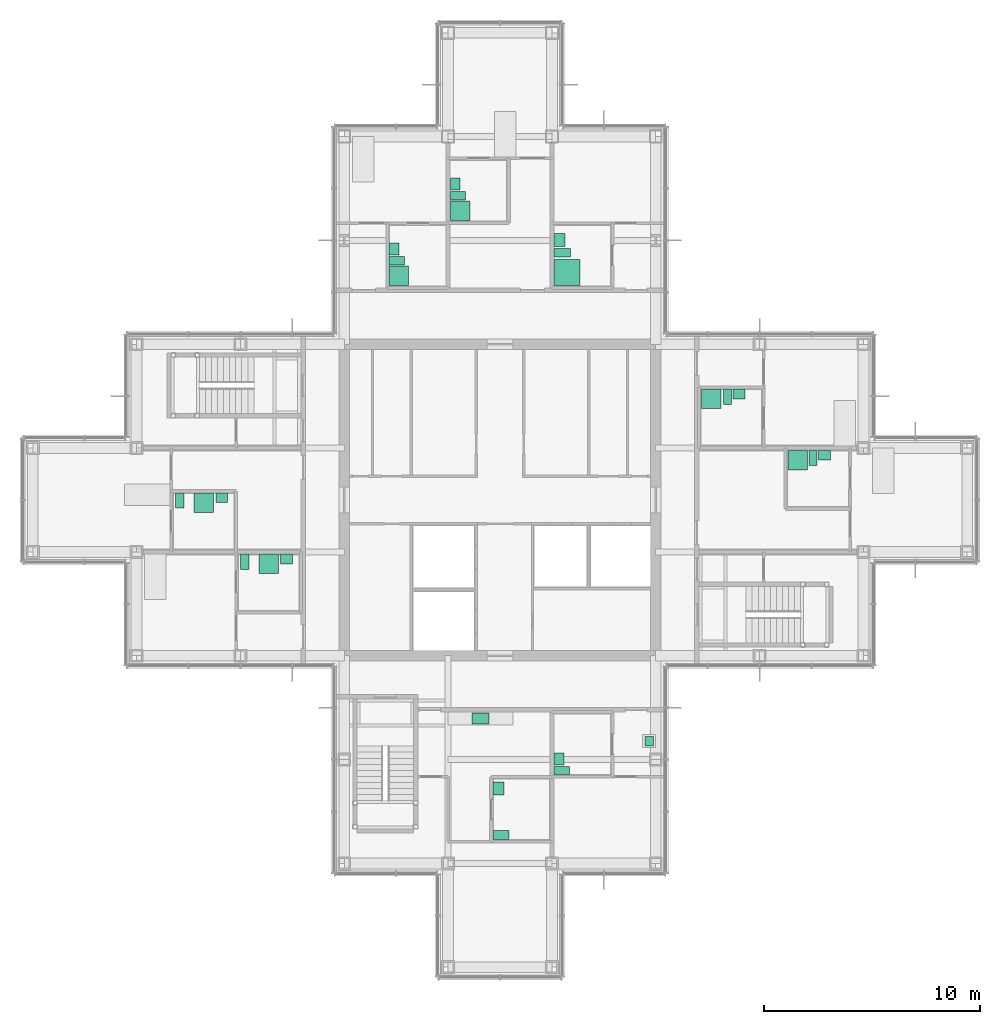
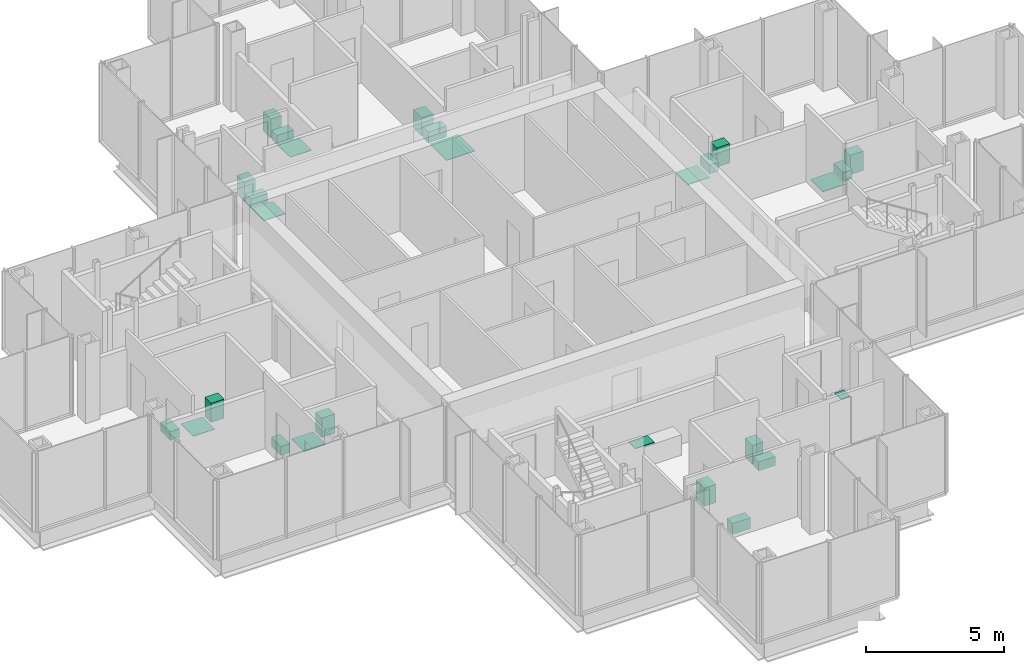
# One storey, part 16 of 17: 27 sanitary terminals.
"""IFC4 building model written with IfcOpenShell, lengths in metres."""

from ifc_helpers import new_model, si_unit, direction, frame, origin, origin_2d, place, context, subcontext, project, spatial, rectangle, extrude, material, type_object, element, save


model = new_model("IFC4")

# Units and contexts
model_context = context("Model", 3, precision=1e-05, world=origin(), true_north=direction((0.0, 1.0)))
body_context = subcontext(model_context, "Body", "Model", "MODEL_VIEW")
ifc_project = project(units=[si_unit("LENGTHUNIT", "METRE"), si_unit("AREAUNIT", "SQUARE_METRE"), si_unit("VOLUMEUNIT", "CUBIC_METRE"), si_unit("PLANEANGLEUNIT", "RADIAN"), si_unit("MASSUNIT", "GRAM", prefix="KILO")], contexts=[model_context])

# Site, building, storey
site_placement = place(None, origin())
site = spatial("IfcSite", under=ifc_project, at=site_placement, CompositionType="ELEMENT")
building_placement = place(site_placement, origin())
building = spatial("IfcBuilding", under=site, at=building_placement, Name="Kvirike Care Tower", CompositionType="ELEMENT")
storey_placement = place(building_placement, frame((0.0, 0.0, 148.0)))
storey = spatial("IfcBuildingStorey", under=building, at=storey_placement, Name="L40", CompositionType="ELEMENT", Elevation=148.0)

# Sanitary terminals
ifc_material_1 = material(Name="Vitreous china", Category="ceramic")
sanitary_terminal_type_1 = type_object("IfcSanitaryTerminalType", Name="ACCESSIBLE WASH BASIN 600 x 500", PredefinedType="WASHHANDBASIN", material=ifc_material_1)
for number, where, z_axis, x_axis, name in (
    (1, (21.527099609375, 22.659912109375, 0.02001953125), (0.0, 0.0, 1.0), (0.0, 1.0, 0.0), "Accessible wash basin L40-014"),
    (2, (24.35205078125, 48.02490234375, 0.02001953125), (0.0, 0.0, 1.0), (0.0, 1.0, 0.0), "Accessible wash basin L40-021"),
):
    element("IfcSanitaryTerminal", number, at=place(storey_placement, frame(where, z_axis=z_axis, x_axis=x_axis)), inside=storey, type_object=sanitary_terminal_type_1, Name=name, PredefinedType="WASHHANDBASIN", context=body_context, shape_type="SweptSolid", body=[
        extrude(rectangle(XDim=0.60009765625, YDim=0.5, at=origin_2d()), origin(), (0.0, 0.0, 1.0), 0.800048828125),
    ])
ifc_material_2 = material(Name="Vitreous china", Category="ceramic")
sanitary_terminal_type_2 = type_object("IfcSanitaryTerminalType", Name="ACCESSIBLE WC PAN 400 x 750", PredefinedType="TOILETPAN", material=ifc_material_2)
for number, where, z_axis, x_axis, name in (
    (3, (21.652099609375, 20.510009765625, 0.02001953125), (0.0, 0.0, 1.0), (0.0, 1.0, 0.0), "Accessible WC pan L40-014"),
    (4, (24.47705078125, 47.425048828125, 0.02001953125), (0.0, 0.0, 1.0), (0.0, 1.0, 0.0), "Accessible WC pan L40-021"),
):
    element("IfcSanitaryTerminal", number, at=place(storey_placement, frame(where, z_axis=z_axis, x_axis=x_axis)), inside=storey, type_object=sanitary_terminal_type_2, Name=name, PredefinedType="TOILETPAN", context=body_context, shape_type="SweptSolid", body=[
        extrude(rectangle(XDim=0.39990234375, YDim=0.75, at=origin_2d()), origin(), (0.0, 0.0, 1.0), 0.47998046875),
    ])
ifc_material_3 = material(Name="Stainless steel", Category="steel")
sanitary_terminal_type_3 = type_object("IfcSanitaryTerminalType", Name="KITCHEN SINK 450 x 400", PredefinedType="SINK", material=ifc_material_3)
sanitary_terminal_1_placement = place(storey_placement, frame((28.498046875, 24.85009765625, 0.89990234375), z_axis=(0.0, 0.0, 1.0), x_axis=(0.0, -1.0, 0.0)))
element("IfcSanitaryTerminal", 5, at=sanitary_terminal_1_placement, inside=storey, type_object=sanitary_terminal_type_3, Name="Kitchen sink L40-018", PredefinedType="SINK", context=body_context, shape_type="SweptSolid", body=[
    extrude(rectangle(XDim=0.449951171875, YDim=0.39990234375, at=origin_2d()), origin(), (0.0, 0.0, 1.0), 0.030029296875),
])
ifc_material_4 = material(Name="Stainless steel", Category="steel")
sanitary_terminal_type_4 = type_object("IfcSanitaryTerminalType", Name="KITCHEN SINK 800 x 500", PredefinedType="SINK", material=ifc_material_4)
sanitary_terminal_2_placement = place(storey_placement, frame((20.699951171875, 25.89794921875, 0.89990234375), z_axis=(0.0, 0.0, 1.0), x_axis=(1.0, 0.0, 0.0)))
element("IfcSanitaryTerminal", 6, at=sanitary_terminal_2_placement, inside=storey, type_object=sanitary_terminal_type_4, Name="Kitchen sink L40-015", PredefinedType="SINK", context=body_context, shape_type="SweptSolid", body=[
    extrude(rectangle(XDim=0.800048828125, YDim=0.5, at=origin_2d()), origin(), (0.0, 0.0, 1.0), 0.030029296875),
])
ifc_material_5 = material(Name="Stainless steel", Category="steel")
sanitary_terminal_type_5 = type_object("IfcSanitaryTerminalType", Name="LEVEL-ACCESS SHOWER 1200 x 1200", PredefinedType="SHOWER", material=ifc_material_5)
sanitary_terminal_3_placement = place(storey_placement, frame((24.701904296875, 46.52490234375, 0.02001953125), z_axis=(0.0, 0.0, 1.0), x_axis=(0.0, 1.0, 0.0)))
element("IfcSanitaryTerminal", 7, at=sanitary_terminal_3_placement, inside=storey, type_object=sanitary_terminal_type_5, Name="Level-access shower L40-021", PredefinedType="SHOWER", context=body_context, shape_type="SweptSolid", body=[
    extrude(rectangle(XDim=1.199951171875, YDim=1.199951171875, at=origin_2d()), origin(), (0.0, 0.0, 1.0), 0.02001953125),
])
ifc_material_6 = material(Name="Stainless steel", Category="steel")
sanitary_terminal_type_6 = type_object("IfcSanitaryTerminalType", Name="LEVEL-ACCESS SHOWER 900 x 900", PredefinedType="SHOWER", material=ifc_material_6)
for number, where, z_axis, x_axis, name in (
    (8, (7.909912109375, 35.873046875, 0.02001953125), (0.0, 0.0, 1.0), (1.0, 0.0, 0.0), "Level-access shower L40-006"),
    (9, (10.909912109375, 33.048095703125, 0.02001953125), (0.0, 0.0, 1.0), (1.0, 0.0, 0.0), "Level-access shower L40-009"),
    (10, (19.751953125, 49.375, 0.02001953125), (0.0, 0.0, 1.0), (0.0, 1.0, 0.0), "Level-access shower L40-024"),
    (11, (16.927001953125, 46.375, 0.02001953125), (0.0, 0.0, 1.0), (0.0, 1.0, 0.0), "Level-access shower L40-027"),
    (12, (35.375, 37.847900390625, 0.02001953125), (0.0, 0.0, 1.0), (1.0, 0.0, 0.0), "Level-access shower L40-034"),
    (13, (31.375, 40.673095703125, 0.02001953125), (0.0, 0.0, 1.0), (1.0, 0.0, 0.0), "Level-access shower L40-037"),
):
    element("IfcSanitaryTerminal", number, at=place(storey_placement, frame(where, z_axis=z_axis, x_axis=x_axis)), inside=storey, type_object=sanitary_terminal_type_6, Name=name, PredefinedType="SHOWER", context=body_context, shape_type="SweptSolid", body=[
        extrude(rectangle(XDim=0.89990234375, YDim=0.89990234375, at=origin_2d()), origin(), (0.0, 0.0, 1.0), 0.02001953125),
    ])
ifc_material_7 = material(Name="Vitreous china", Category="ceramic")
sanitary_terminal_type_7 = type_object("IfcSanitaryTerminalType", Name="WASH BASIN 550 x 450", PredefinedType="WASHHANDBASIN", material=ifc_material_7)
for number, where, z_axis, x_axis, name in (
    (14, (8.735107421875, 36.097900390625, 0.02001953125), (0.0, 0.0, 1.0), (1.0, 0.0, 0.0), "Wash basin L40-006"),
    (15, (11.735107421875, 33.27294921875, 0.02001953125), (0.0, 0.0, 1.0), (1.0, 0.0, 0.0), "Wash basin L40-009"),
    (16, (24.326904296875, 24.034912109375, 0.02001953125), (0.0, 0.0, 1.0), (0.0, 1.0, 0.0), "Wash basin L40-017"),
    (17, (19.527099609375, 50.60009765625, 0.02001953125), (0.0, 0.0, 1.0), (0.0, 1.0, 0.0), "Wash basin L40-024"),
    (18, (16.701904296875, 47.60009765625, 0.02001953125), (0.0, 0.0, 1.0), (0.0, 1.0, 0.0), "Wash basin L40-027"),
    (19, (36.60009765625, 38.072998046875, 0.02001953125), (0.0, 0.0, 1.0), (1.0, 0.0, 0.0), "Wash basin L40-034"),
    (20, (32.64990234375, 40.89794921875, 0.02001953125), (0.0, 0.0, 1.0), (1.0, 0.0, 0.0), "Wash basin L40-037"),
):
    element("IfcSanitaryTerminal", number, at=place(storey_placement, frame(where, z_axis=z_axis, x_axis=x_axis)), inside=storey, type_object=sanitary_terminal_type_7, Name=name, PredefinedType="WASHHANDBASIN", context=body_context, shape_type="SweptSolid", body=[
        extrude(rectangle(XDim=0.550048828125, YDim=0.449951171875, at=origin_2d()), origin(), (0.0, 0.0, 1.0), 0.85009765625),
    ])
ifc_material_8 = material(Name="Vitreous china", Category="ceramic")
sanitary_terminal_type_8 = type_object("IfcSanitaryTerminalType", Name="WC PAN 380 x 700", PredefinedType="TOILETPAN", material=ifc_material_8)
for number, where, z_axis, x_axis, name in (
    (21, (6.800048828125, 35.972900390625, 0.02001953125), (0.0, 0.0, 1.0), (1.0, 0.0, 0.0), "WC pan L40-006"),
    (22, (9.800048828125, 33.14794921875, 0.02001953125), (0.0, 0.0, 1.0), (1.0, 0.0, 0.0), "WC pan L40-009"),
    (23, (24.451904296875, 23.5, 0.02001953125), (0.0, 0.0, 1.0), (0.0, 1.0, 0.0), "WC pan L40-017"),
    (24, (19.652099609375, 50.06494140625, 0.02001953125), (0.0, 0.0, 1.0), (0.0, 1.0, 0.0), "WC pan L40-024"),
    (25, (16.826904296875, 47.06494140625, 0.02001953125), (0.0, 0.0, 1.0), (0.0, 1.0, 0.0), "WC pan L40-027"),
    (26, (36.06494140625, 37.947998046875, 0.02001953125), (0.0, 0.0, 1.0), (1.0, 0.0, 0.0), "WC pan L40-034"),
    (27, (32.114990234375, 40.77294921875, 0.02001953125), (0.0, 0.0, 1.0), (1.0, 0.0, 0.0), "WC pan L40-037"),
):
    element("IfcSanitaryTerminal", number, at=place(storey_placement, frame(where, z_axis=z_axis, x_axis=x_axis)), inside=storey, type_object=sanitary_terminal_type_8, Name=name, PredefinedType="TOILETPAN", context=body_context, shape_type="SweptSolid", body=[
        extrude(rectangle(XDim=0.3798828125, YDim=0.699951171875, at=origin_2d()), origin(), (0.0, 0.0, 1.0), 0.39990234375),
    ])

save(model, "model.ifc")
